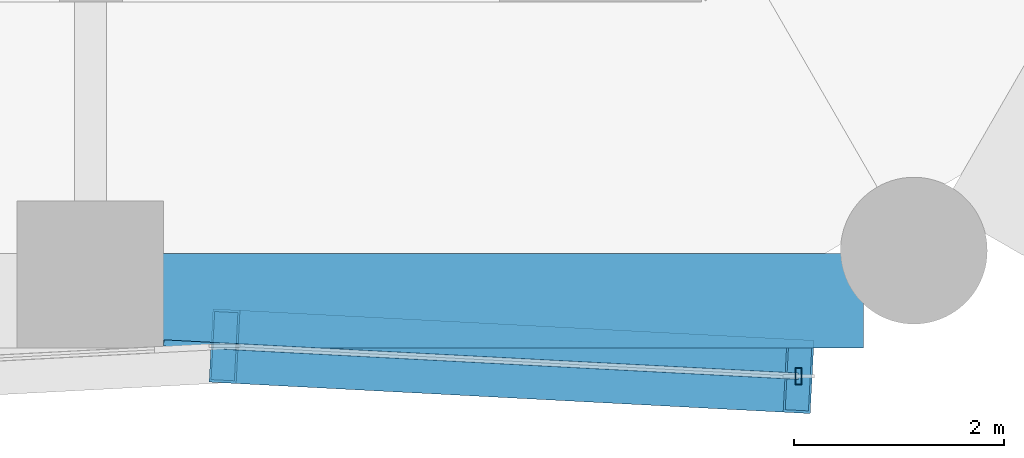
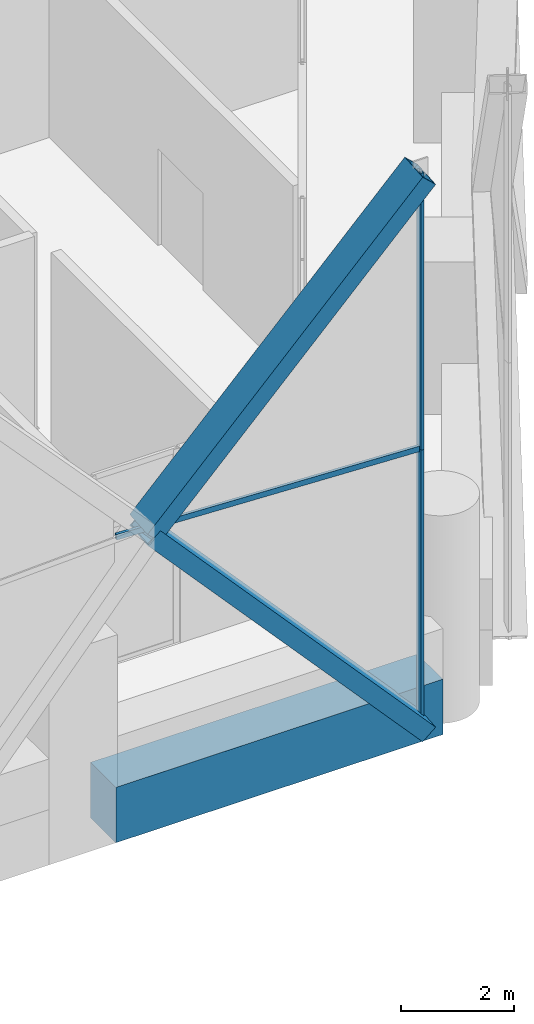
# One storey, part 15 of 46: 5 members, 1 beam, 2 elements without a shape of their own.
"""IFC4 building model written with IfcOpenShell, lengths in metres."""

from ifc_helpers import new_model, si_unit, direction, frame, origin, origin_2d, place, context, subcontext, project, spatial, rectangle, hollow_rectangle, extrude, material, material_profile, profile_set, type_object, element, aggregate, save


model = new_model("IFC4")

# Units and contexts
model_context = context("Model", 3, precision=1e-05, world=origin(), true_north=direction((0.0, 1.0)))
body_context = subcontext(model_context, "Body", "Model", "MODEL_VIEW")
ifc_project = project(units=[si_unit("LENGTHUNIT", "METRE"), si_unit("AREAUNIT", "SQUARE_METRE"), si_unit("VOLUMEUNIT", "CUBIC_METRE"), si_unit("PLANEANGLEUNIT", "RADIAN"), si_unit("MASSUNIT", "GRAM", prefix="KILO")], contexts=[model_context])

# Site, building, storey
site_placement = place(None, origin())
site = spatial("IfcSite", under=ifc_project, at=site_placement, CompositionType="ELEMENT")
building_placement = place(site_placement, origin())
building = spatial("IfcBuilding", under=site, at=building_placement, Name="Ostrander Bayou Hotel Tower", CompositionType="ELEMENT")
storey_placement = place(building_placement, frame((0.0, 0.0, 23.5)))
storey = spatial("IfcBuildingStorey", under=building, at=storey_placement, Name="L05", CompositionType="ELEMENT", Elevation=23.5)

# Curtain wall, members
ifc_material_1 = material(Name="Aluminium and clear glass", Category="aluminium")
curtain_wall_type = type_object("IfcCurtainWallType", Name="CW-LAT lattice glazing", PredefinedType="NOTDEFINED", material=ifc_material_1)
curtain_wall_1_placement = place(storey_placement, origin())
curtain_wall_1 = element("IfcCurtainWall", 1, at=curtain_wall_1_placement, inside=storey, type_object=curtain_wall_type, Name="CW-LAT L05 S 1", PredefinedType="NOTDEFINED")
ifc_material_2 = material(Name="Aluminium", Category="aluminium")
ifc_material_profile_1 = material_profile(ifc_material_2, hollow_rectangle(XDim=0.06005859375, YDim=0.159912109375, WallThickness=0.00390625, at=origin_2d()))
ifc_profile_set_1 = profile_set([ifc_material_profile_1], Name="Aluminium")
member_type_1 = type_object("IfcMemberType", Name="CW-LA mullion 60 x 160 mm", PredefinedType="MULLION", material=ifc_profile_set_1)
member_1_placement = place(storey_placement, frame((10.95068359375, -22.070068359375, -0.60009765625), z_axis=(0.0, 0.0, 1.0), x_axis=(1.0, 0.0, 0.0)))
member_1 = element("IfcMember", 2, at=member_1_placement, type_object=member_type_1, Name="CW-LAT mullion 8", PredefinedType="MULLION", context=body_context, shape_type="SweptSolid", body=[
    extrude(hollow_rectangle(XDim=0.06005859375, YDim=0.159912109375, WallThickness=0.00390625, at=origin_2d()), origin(), (0.0, 0.0, 1.0), 6.0),
])
member_2_placement = place(storey_placement, frame((10.95068359375, -22.070068359375, 5.39990234375), z_axis=(0.0, 0.0, 1.0), x_axis=(1.0, 0.0, 0.0)))
member_2 = element("IfcMember", 3, at=member_2_placement, type_object=member_type_1, Name="CW-LAT mullion 9", PredefinedType="MULLION", context=body_context, shape_type="SweptSolid", body=[
    extrude(hollow_rectangle(XDim=0.06005859375, YDim=0.159912109375, WallThickness=0.00390625, at=origin_2d()), origin(), (0.0, 0.0, 1.0), 6.0),
])
aggregate(curtain_wall_1, [member_1, member_2])

# Curtain wall, member
curtain_wall_2_placement = place(storey_placement, origin())
curtain_wall_2 = element("IfcCurtainWall", 4, at=curtain_wall_2_placement, inside=storey, type_object=curtain_wall_type, Name="CW-LAT L05 S 2", PredefinedType="NOTDEFINED")
ifc_material_3 = material(Name="Aluminium", Category="aluminium")
ifc_material_profile_2 = material_profile(ifc_material_3, hollow_rectangle(XDim=0.06005859375, YDim=0.1201171875, WallThickness=0.00390625, at=origin_2d()))
ifc_profile_set_2 = profile_set([ifc_material_profile_2], Name="Aluminium")
member_type_2 = type_object("IfcMemberType", Name="CW-LA transom 60 x 120 mm", PredefinedType="USERDEFINED", material=ifc_profile_set_2)
member_3_placement = place(storey_placement, frame((10.95068359375, -22.070068359375, 5.39990234375), z_axis=(-0.998629151189, 0.052343274597, 0.0), x_axis=(-0.052343274597, -0.998629151189, 0.0)))
member_3 = element("IfcMember", 5, at=member_3_placement, type_object=member_type_2, Name="CW-LAT transom 10", ObjectType="TRANSOM", PredefinedType="USERDEFINED", context=body_context, shape_type="SweptSolid", body=[
    extrude(hollow_rectangle(XDim=0.06005859375, YDim=0.1201171875, WallThickness=0.00390625, at=origin_2d()), origin(), (0.0, 0.0, 1.0), 6.0634765625),
])
aggregate(curtain_wall_2, [member_3])

# Members
ifc_material_4 = material(Name="Steel ASTM A572 Gr 50", Category="steel")
ifc_material_profile_3 = material_profile(ifc_material_4, hollow_rectangle(XDim=0.699951171875, YDim=0.35009765625, WallThickness=0.02490234375, at=origin_2d()))
ifc_profile_set_3 = profile_set([ifc_material_profile_3], Name="Steel ASTM A572 Gr 50")
member_type_3 = type_object("IfcMemberType", Name="LT1 lattice member box 700 x 350 x 25 mm", PredefinedType="BRACE", material=ifc_profile_set_3)
for number, where, z_axis, x_axis, name in (
    (6, (5.475341796875, -21.783203125, 5.39990234375), (0.673653383854, -0.03529418674, -0.738204198582), (0.052320446705, 0.998630347454, 0.0), "LT1 L05 S 7"),
    (7, (5.475341796875, -21.783203125, 5.39990234375), (0.673653383854, -0.03529418674, 0.738204198582), (0.052320446705, 0.998630347454, 0.0), "LT1 L05 S 8"),
):
    element("IfcMember", number, at=place(storey_placement, frame(where, z_axis=z_axis, x_axis=x_axis)), inside=storey, type_object=member_type_3, Name=name, PredefinedType="BRACE", context=body_context, shape_type="SweptSolid", body=[
        extrude(hollow_rectangle(XDim=0.699951171875, YDim=0.35009765625, WallThickness=0.02490234375, at=origin_2d()), origin(), (0.0, 0.0, 1.0), 8.1279296875),
    ])

# Beam
ifc_material_5 = material(Name="Concrete f'c 70 MPa", Category="concrete")
ifc_material_profile_4 = material_profile(ifc_material_5, rectangle(XDim=0.89990234375, YDim=1.199951171875, at=origin_2d()))
ifc_profile_set_4 = profile_set([ifc_material_profile_4], Name="Concrete f'c 70 MPa")
beam_type = type_object("IfcBeamType", Name="SP1 spandrel beam 900 x 1200 mm f'c 70 MPa", PredefinedType="SPANDREL", material=ifc_profile_set_4)
beam_placement = place(storey_placement, frame((4.865478515625, -21.35009765625, -0.60009765625), z_axis=(1.0, 0.0, 0.0), x_axis=(0.0, 1.0, 0.0)))
element("IfcBeam", 8, at=beam_placement, inside=storey, type_object=beam_type, Name="SP1 L05 S-3", PredefinedType="SPANDREL", context=body_context, shape_type="SweptSolid", body=[
    extrude(rectangle(XDim=0.89990234375, YDim=1.199951171875, at=origin_2d()), origin(), (0.0, 0.0, 1.0), 6.70361328125),
])

save(model, "model.ifc")
